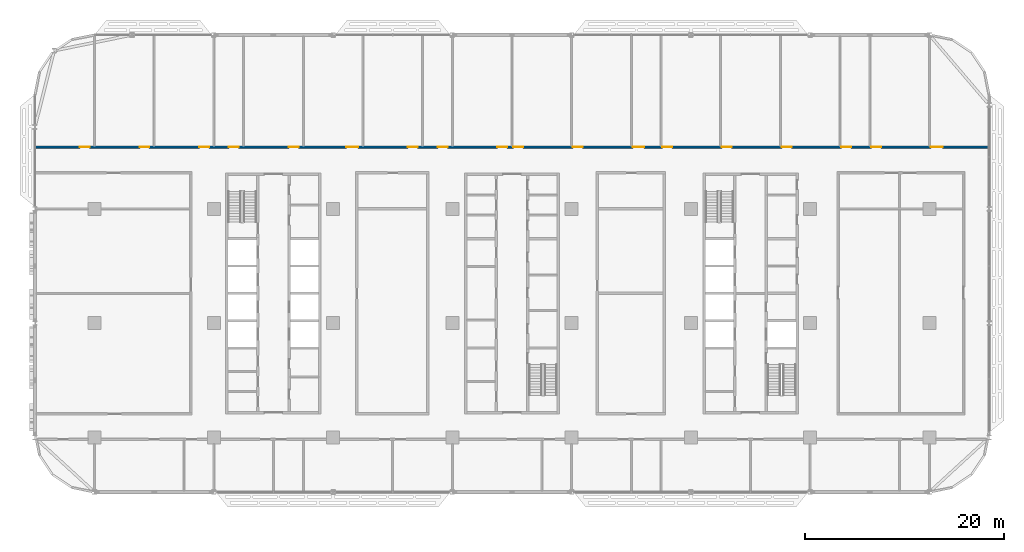
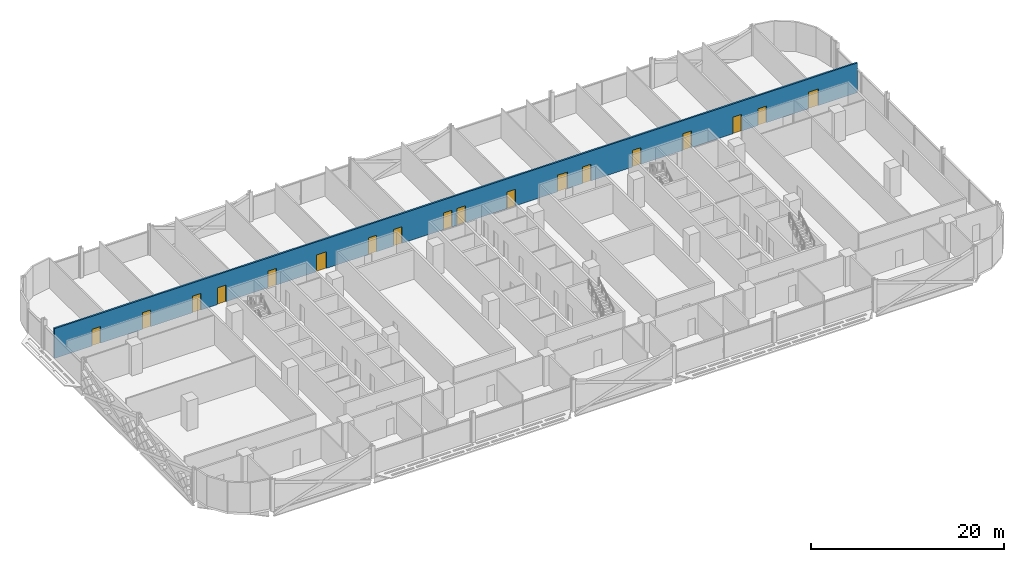
# One storey, part 16 of 29: 18 doors, 1 wall, 18 openings.
"""IFC4 building model written with IfcOpenShell, lengths in metres."""

from ifc_helpers import new_model, si_unit, direction, frame, frame_2d, origin, place, context, subcontext, project, spatial, rectangle, extrude, material, layer, layer_set, type_object, element, fill, save


model = new_model("IFC4")

# Units and contexts
model_context = context("Model", 3, precision=1e-05, world=origin(), true_north=direction((0.0, 1.0)))
body_context = subcontext(model_context, "Body", "Model", "MODEL_VIEW")
ifc_project = project(units=[si_unit("LENGTHUNIT", "METRE"), si_unit("AREAUNIT", "SQUARE_METRE"), si_unit("VOLUMEUNIT", "CUBIC_METRE"), si_unit("PLANEANGLEUNIT", "RADIAN"), si_unit("MASSUNIT", "GRAM", prefix="KILO")], contexts=[model_context])

# Site, building, storey
site_placement = place(None, origin())
site = spatial("IfcSite", under=ifc_project, at=site_placement, CompositionType="ELEMENT")
building_placement = place(site_placement, origin())
building = spatial("IfcBuilding", under=site, at=building_placement, Name="Mahtab Terrace Research Tower", CompositionType="ELEMENT")
storey_placement = place(building_placement, frame((0.0, 0.0, 142.5)))
storey = spatial("IfcBuildingStorey", under=building, at=storey_placement, Name="L33", CompositionType="ELEMENT", Elevation=142.5)

# Wall, openings, doors
ifc_material_1 = material(Name="Gypsum board corridor wall on steel studs", Category="steel")
ifc_layer = layer(ifc_material_1, 0.199951171875)
ifc_layer_set = layer_set([ifc_layer], Name="WALL CORRIDOR 200")
wall_type = type_object("IfcWallType", Name="WALL CORRIDOR 200", PredefinedType="PARTITIONING", material=ifc_layer_set)
wall_placement = place(storey_placement, frame((-47.97509765625, 17.699951171875, 0.0), z_axis=(0.0, 0.0, 1.0), x_axis=(1.0, 0.0, 0.0)))
wall = element("IfcWall", 1, at=wall_placement, inside=storey, type_object=wall_type, Name="L33-W026", PredefinedType="PARTITIONING", context=body_context, shape_type="SweptSolid", body=[
    extrude(rectangle(XDim=95.9501953125, YDim=0.199951171875, at=frame_2d((47.97509765625, 0.0))), origin(), (0.0, 0.0, 1.0), 3.760009765625),
])
opening_1_placement = place(wall_placement, frame((4.5, 0.0, 0.0)))
opening_1 = element("IfcOpeningElement", 2, at=opening_1_placement, cuts=wall, Name="Opening L33-129", PredefinedType="OPENING", context=body_context, shape_type="SweptSolid", body=[
    extrude(rectangle(XDim=1.0, YDim=2.10009765625, at=frame_2d((0.5, 1.050048828125))), frame((0.0, 0.10986328125, 0.0), z_axis=(0.0, -1.0, 0.0), x_axis=(1.0, 0.0, 0.0)), (0.0, 0.0, 1.0), 0.219970703125),
])
opening_2_placement = place(wall_placement, frame((10.5, 0.0, 0.0)))
opening_2 = element("IfcOpeningElement", 3, at=opening_2_placement, cuts=wall, Name="Opening L33-130", PredefinedType="OPENING", context=body_context, shape_type="SweptSolid", body=[
    extrude(rectangle(XDim=1.0, YDim=2.10009765625, at=frame_2d((0.5, 1.050048828125))), frame((0.0, 0.10986328125, 0.0), z_axis=(0.0, -1.0, 0.0), x_axis=(1.0, 0.0, 0.0)), (0.0, 0.0, 1.0), 0.219970703125),
])
opening_3_placement = place(wall_placement, frame((16.5, 0.0, 0.0)))
opening_3 = element("IfcOpeningElement", 4, at=opening_3_placement, cuts=wall, Name="Opening L33-131", PredefinedType="OPENING", context=body_context, shape_type="SweptSolid", body=[
    extrude(rectangle(XDim=1.0, YDim=2.10009765625, at=frame_2d((0.5, 1.050048828125))), frame((0.0, 0.10986328125, 0.0), z_axis=(0.0, -1.0, 0.0), x_axis=(1.0, 0.0, 0.0)), (0.0, 0.0, 1.0), 0.219970703125),
])
opening_4_placement = place(wall_placement, frame((19.5, 0.0, 0.0)))
opening_4 = element("IfcOpeningElement", 5, at=opening_4_placement, cuts=wall, Name="Opening L33-132", PredefinedType="OPENING", context=body_context, shape_type="SweptSolid", body=[
    extrude(rectangle(XDim=1.0, YDim=2.10009765625, at=frame_2d((0.5, 1.050048828125))), frame((0.0, 0.10986328125, 0.0), z_axis=(0.0, -1.0, 0.0), x_axis=(1.0, 0.0, 0.0)), (0.0, 0.0, 1.0), 0.219970703125),
])
opening_5_placement = place(wall_placement, frame((25.5, 0.0, 0.0)))
opening_5 = element("IfcOpeningElement", 6, at=opening_5_placement, cuts=wall, Name="Opening L33-133", PredefinedType="OPENING", context=body_context, shape_type="SweptSolid", body=[
    extrude(rectangle(XDim=1.0, YDim=2.10009765625, at=frame_2d((0.5, 1.050048828125))), frame((0.0, 0.10986328125, 0.0), z_axis=(0.0, -1.0, 0.0), x_axis=(1.0, 0.0, 0.0)), (0.0, 0.0, 1.0), 0.219970703125),
])
opening_6_placement = place(wall_placement, frame((31.300048828125, 0.0, 0.0)))
opening_6 = element("IfcOpeningElement", 7, at=opening_6_placement, cuts=wall, Name="Opening L33-134", PredefinedType="OPENING", context=body_context, shape_type="SweptSolid", body=[
    extrude(rectangle(XDim=1.199951171875, YDim=2.10009765625, at=frame_2d((0.60009765625, 1.050048828125))), frame((0.0, 0.10986328125, 0.0), z_axis=(0.0, -1.0, 0.0), x_axis=(1.0, 0.0, 0.0)), (0.0, 0.0, 1.0), 0.219970703125),
])
opening_7_placement = place(wall_placement, frame((37.5, 0.0, 0.0)))
opening_7 = element("IfcOpeningElement", 8, at=opening_7_placement, cuts=wall, Name="Opening L33-135", PredefinedType="OPENING", context=body_context, shape_type="SweptSolid", body=[
    extrude(rectangle(XDim=1.0, YDim=2.10009765625, at=frame_2d((0.5, 1.050048828125))), frame((0.0, 0.10986328125, 0.0), z_axis=(0.0, -1.0, 0.0), x_axis=(1.0, 0.0, 0.0)), (0.0, 0.0, 1.0), 0.219970703125),
])
opening_8_placement = place(wall_placement, frame((40.5, 0.0, 0.0)))
opening_8 = element("IfcOpeningElement", 9, at=opening_8_placement, cuts=wall, Name="Opening L33-136", PredefinedType="OPENING", context=body_context, shape_type="SweptSolid", body=[
    extrude(rectangle(XDim=1.0, YDim=2.10009765625, at=frame_2d((0.5, 1.050048828125))), frame((0.0, 0.10986328125, 0.0), z_axis=(0.0, -1.0, 0.0), x_axis=(1.0, 0.0, 0.0)), (0.0, 0.0, 1.0), 0.219970703125),
])
opening_9_placement = place(wall_placement, frame((46.5, 0.0, 0.0)))
opening_9 = element("IfcOpeningElement", 10, at=opening_9_placement, cuts=wall, Name="Opening L33-137", PredefinedType="OPENING", context=body_context, shape_type="SweptSolid", body=[
    extrude(rectangle(XDim=1.0, YDim=2.10009765625, at=frame_2d((0.5, 1.050048828125))), frame((0.0, 0.10986328125, 0.0), z_axis=(0.0, -1.0, 0.0), x_axis=(1.0, 0.0, 0.0)), (0.0, 0.0, 1.0), 0.219970703125),
])
opening_10_placement = place(wall_placement, frame((48.10009765625, 0.0, 0.0)))
opening_10 = element("IfcOpeningElement", 11, at=opening_10_placement, cuts=wall, Name="Opening L33-138", PredefinedType="OPENING", context=body_context, shape_type="SweptSolid", body=[
    extrude(rectangle(XDim=1.0, YDim=2.10009765625, at=frame_2d((0.5, 1.050048828125))), frame((0.0, 0.10986328125, 0.0), z_axis=(0.0, -1.0, 0.0), x_axis=(1.0, 0.0, 0.0)), (0.0, 0.0, 1.0), 0.219970703125),
])
opening_11_placement = place(wall_placement, frame((54.10009765625, 0.0, 0.0)))
opening_11 = element("IfcOpeningElement", 12, at=opening_11_placement, cuts=wall, Name="Opening L33-139", PredefinedType="OPENING", context=body_context, shape_type="SweptSolid", body=[
    extrude(rectangle(XDim=1.0, YDim=2.10009765625, at=frame_2d((0.5, 1.050048828125))), frame((0.0, 0.10986328125, 0.0), z_axis=(0.0, -1.0, 0.0), x_axis=(1.0, 0.0, 0.0)), (0.0, 0.0, 1.0), 0.219970703125),
])
opening_12_placement = place(wall_placement, frame((60.10009765625, 0.0, 0.0)))
opening_12 = element("IfcOpeningElement", 13, at=opening_12_placement, cuts=wall, Name="Opening L33-140", PredefinedType="OPENING", context=body_context, shape_type="SweptSolid", body=[
    extrude(rectangle(XDim=1.199951171875, YDim=2.10009765625, at=frame_2d((0.60009765625, 1.050048828125))), frame((0.0, 0.10986328125, 0.0), z_axis=(0.0, -1.0, 0.0), x_axis=(1.0, 0.0, 0.0)), (0.0, 0.0, 1.0), 0.219970703125),
])
opening_13_placement = place(wall_placement, frame((63.10009765625, 0.0, 0.0)))
opening_13 = element("IfcOpeningElement", 14, at=opening_13_placement, cuts=wall, Name="Opening L33-141", PredefinedType="OPENING", context=body_context, shape_type="SweptSolid", body=[
    extrude(rectangle(XDim=1.0, YDim=2.10009765625, at=frame_2d((0.5, 1.050048828125))), frame((0.0, 0.10986328125, 0.0), z_axis=(0.0, -1.0, 0.0), x_axis=(1.0, 0.0, 0.0)), (0.0, 0.0, 1.0), 0.219970703125),
])
opening_14_placement = place(wall_placement, frame((69.10009765625, 0.0, 0.0)))
opening_14 = element("IfcOpeningElement", 15, at=opening_14_placement, cuts=wall, Name="Opening L33-142", PredefinedType="OPENING", context=body_context, shape_type="SweptSolid", body=[
    extrude(rectangle(XDim=1.0, YDim=2.10009765625, at=frame_2d((0.5, 1.050048828125))), frame((0.0, 0.10986328125, 0.0), z_axis=(0.0, -1.0, 0.0), x_axis=(1.0, 0.0, 0.0)), (0.0, 0.0, 1.0), 0.219970703125),
])
opening_15_placement = place(wall_placement, frame((75.10009765625, 0.0, 0.0)))
opening_15 = element("IfcOpeningElement", 16, at=opening_15_placement, cuts=wall, Name="Opening L33-143", PredefinedType="OPENING", context=body_context, shape_type="SweptSolid", body=[
    extrude(rectangle(XDim=1.0, YDim=2.10009765625, at=frame_2d((0.5, 1.050048828125))), frame((0.0, 0.10986328125, 0.0), z_axis=(0.0, -1.0, 0.0), x_axis=(1.0, 0.0, 0.0)), (0.0, 0.0, 1.0), 0.219970703125),
])
opening_16_placement = place(wall_placement, frame((81.10009765625, 0.0, 0.0)))
opening_16 = element("IfcOpeningElement", 17, at=opening_16_placement, cuts=wall, Name="Opening L33-144", PredefinedType="OPENING", context=body_context, shape_type="SweptSolid", body=[
    extrude(rectangle(XDim=1.0, YDim=2.10009765625, at=frame_2d((0.5, 1.050048828125))), frame((0.0, 0.10986328125, 0.0), z_axis=(0.0, -1.0, 0.0), x_axis=(1.0, 0.0, 0.0)), (0.0, 0.0, 1.0), 0.219970703125),
])
opening_17_placement = place(wall_placement, frame((84.10009765625, 0.0, 0.0)))
opening_17 = element("IfcOpeningElement", 18, at=opening_17_placement, cuts=wall, Name="Opening L33-145", PredefinedType="OPENING", context=body_context, shape_type="SweptSolid", body=[
    extrude(rectangle(XDim=1.0, YDim=2.10009765625, at=frame_2d((0.5, 1.050048828125))), frame((0.0, 0.10986328125, 0.0), z_axis=(0.0, -1.0, 0.0), x_axis=(1.0, 0.0, 0.0)), (0.0, 0.0, 1.0), 0.219970703125),
])
opening_18_placement = place(wall_placement, frame((90.10009765625, 0.0, 0.0)))
opening_18 = element("IfcOpeningElement", 19, at=opening_18_placement, cuts=wall, Name="Opening L33-146", PredefinedType="OPENING", context=body_context, shape_type="SweptSolid", body=[
    extrude(rectangle(XDim=1.199951171875, YDim=2.10009765625, at=frame_2d((0.60009765625, 1.050048828125))), frame((0.0, 0.10986328125, 0.0), z_axis=(0.0, -1.0, 0.0), x_axis=(1.0, 0.0, 0.0)), (0.0, 0.0, 1.0), 0.219970703125),
])
ifc_material_2 = material(Name="Timber door leaf in steel frame", Category="steel")
door_type_1 = type_object("IfcDoorType", Name="DOOR 1000X2100 FD30S", OperationType="SINGLE_SWING_LEFT", PredefinedType="DOOR", material=ifc_material_2)
door_1_placement = place(opening_1_placement, origin())
door_1 = element("IfcDoor", 20, at=door_1_placement, inside=storey, type_object=door_type_1, Name="Door L33-129", OperationType="SINGLE_SWING_LEFT", OverallHeight=2.10009765625, OverallWidth=1.0, PredefinedType="DOOR", context=body_context, shape_type="SweptSolid", body=[
    extrude(rectangle(XDim=1.0, YDim=2.10009765625, at=frame_2d((0.5, 1.050048828125))), frame((0.0, 0.02490234375, 0.0), z_axis=(0.0, -1.0, 0.0), x_axis=(1.0, 0.0, 0.0)), (0.0, 0.0, 1.0), 0.050048828125),
])
fill(opening_1, door_1)
door_2_placement = place(opening_2_placement, origin())
door_2 = element("IfcDoor", 21, at=door_2_placement, inside=storey, type_object=door_type_1, Name="Door L33-130", OperationType="SINGLE_SWING_LEFT", OverallHeight=2.10009765625, OverallWidth=1.0, PredefinedType="DOOR", context=body_context, shape_type="SweptSolid", body=[
    extrude(rectangle(XDim=1.0, YDim=2.10009765625, at=frame_2d((0.5, 1.050048828125))), frame((0.0, 0.02490234375, 0.0), z_axis=(0.0, -1.0, 0.0), x_axis=(1.0, 0.0, 0.0)), (0.0, 0.0, 1.0), 0.050048828125),
])
fill(opening_2, door_2)
door_3_placement = place(opening_3_placement, origin())
door_3 = element("IfcDoor", 22, at=door_3_placement, inside=storey, type_object=door_type_1, Name="Door L33-131", OperationType="SINGLE_SWING_LEFT", OverallHeight=2.10009765625, OverallWidth=1.0, PredefinedType="DOOR", context=body_context, shape_type="SweptSolid", body=[
    extrude(rectangle(XDim=1.0, YDim=2.10009765625, at=frame_2d((0.5, 1.050048828125))), frame((0.0, 0.02490234375, 0.0), z_axis=(0.0, -1.0, 0.0), x_axis=(1.0, 0.0, 0.0)), (0.0, 0.0, 1.0), 0.050048828125),
])
fill(opening_3, door_3)
door_4_placement = place(opening_4_placement, origin())
door_4 = element("IfcDoor", 23, at=door_4_placement, inside=storey, type_object=door_type_1, Name="Door L33-132", OperationType="SINGLE_SWING_LEFT", OverallHeight=2.10009765625, OverallWidth=1.0, PredefinedType="DOOR", context=body_context, shape_type="SweptSolid", body=[
    extrude(rectangle(XDim=1.0, YDim=2.10009765625, at=frame_2d((0.5, 1.050048828125))), frame((0.0, 0.02490234375, 0.0), z_axis=(0.0, -1.0, 0.0), x_axis=(1.0, 0.0, 0.0)), (0.0, 0.0, 1.0), 0.050048828125),
])
fill(opening_4, door_4)
door_5_placement = place(opening_5_placement, origin())
door_5 = element("IfcDoor", 24, at=door_5_placement, inside=storey, type_object=door_type_1, Name="Door L33-133", OperationType="SINGLE_SWING_LEFT", OverallHeight=2.10009765625, OverallWidth=1.0, PredefinedType="DOOR", context=body_context, shape_type="SweptSolid", body=[
    extrude(rectangle(XDim=1.0, YDim=2.10009765625, at=frame_2d((0.5, 1.050048828125))), frame((0.0, 0.02490234375, 0.0), z_axis=(0.0, -1.0, 0.0), x_axis=(1.0, 0.0, 0.0)), (0.0, 0.0, 1.0), 0.050048828125),
])
fill(opening_5, door_5)
door_6_placement = place(opening_7_placement, origin())
door_6 = element("IfcDoor", 25, at=door_6_placement, inside=storey, type_object=door_type_1, Name="Door L33-135", OperationType="SINGLE_SWING_LEFT", OverallHeight=2.10009765625, OverallWidth=1.0, PredefinedType="DOOR", context=body_context, shape_type="SweptSolid", body=[
    extrude(rectangle(XDim=1.0, YDim=2.10009765625, at=frame_2d((0.5, 1.050048828125))), frame((0.0, 0.02490234375, 0.0), z_axis=(0.0, -1.0, 0.0), x_axis=(1.0, 0.0, 0.0)), (0.0, 0.0, 1.0), 0.050048828125),
])
fill(opening_7, door_6)
door_7_placement = place(opening_8_placement, origin())
door_7 = element("IfcDoor", 26, at=door_7_placement, inside=storey, type_object=door_type_1, Name="Door L33-136", OperationType="SINGLE_SWING_LEFT", OverallHeight=2.10009765625, OverallWidth=1.0, PredefinedType="DOOR", context=body_context, shape_type="SweptSolid", body=[
    extrude(rectangle(XDim=1.0, YDim=2.10009765625, at=frame_2d((0.5, 1.050048828125))), frame((0.0, 0.02490234375, 0.0), z_axis=(0.0, -1.0, 0.0), x_axis=(1.0, 0.0, 0.0)), (0.0, 0.0, 1.0), 0.050048828125),
])
fill(opening_8, door_7)
door_8_placement = place(opening_9_placement, origin())
door_8 = element("IfcDoor", 27, at=door_8_placement, inside=storey, type_object=door_type_1, Name="Door L33-137", OperationType="SINGLE_SWING_LEFT", OverallHeight=2.10009765625, OverallWidth=1.0, PredefinedType="DOOR", context=body_context, shape_type="SweptSolid", body=[
    extrude(rectangle(XDim=1.0, YDim=2.10009765625, at=frame_2d((0.5, 1.050048828125))), frame((0.0, 0.02490234375, 0.0), z_axis=(0.0, -1.0, 0.0), x_axis=(1.0, 0.0, 0.0)), (0.0, 0.0, 1.0), 0.050048828125),
])
fill(opening_9, door_8)
door_9_placement = place(opening_10_placement, origin())
door_9 = element("IfcDoor", 28, at=door_9_placement, inside=storey, type_object=door_type_1, Name="Door L33-138", OperationType="SINGLE_SWING_RIGHT", OverallHeight=2.10009765625, OverallWidth=1.0, PredefinedType="DOOR", context=body_context, shape_type="SweptSolid", body=[
    extrude(rectangle(XDim=1.0, YDim=2.10009765625, at=frame_2d((0.5, 1.050048828125))), frame((0.0, 0.02490234375, 0.0), z_axis=(0.0, -1.0, 0.0), x_axis=(1.0, 0.0, 0.0)), (0.0, 0.0, 1.0), 0.050048828125),
])
fill(opening_10, door_9)
door_10_placement = place(opening_11_placement, origin())
door_10 = element("IfcDoor", 29, at=door_10_placement, inside=storey, type_object=door_type_1, Name="Door L33-139", OperationType="SINGLE_SWING_RIGHT", OverallHeight=2.10009765625, OverallWidth=1.0, PredefinedType="DOOR", context=body_context, shape_type="SweptSolid", body=[
    extrude(rectangle(XDim=1.0, YDim=2.10009765625, at=frame_2d((0.5, 1.050048828125))), frame((0.0, 0.02490234375, 0.0), z_axis=(0.0, -1.0, 0.0), x_axis=(1.0, 0.0, 0.0)), (0.0, 0.0, 1.0), 0.050048828125),
])
fill(opening_11, door_10)
door_11_placement = place(opening_13_placement, origin())
door_11 = element("IfcDoor", 30, at=door_11_placement, inside=storey, type_object=door_type_1, Name="Door L33-141", OperationType="SINGLE_SWING_RIGHT", OverallHeight=2.10009765625, OverallWidth=1.0, PredefinedType="DOOR", context=body_context, shape_type="SweptSolid", body=[
    extrude(rectangle(XDim=1.0, YDim=2.10009765625, at=frame_2d((0.5, 1.050048828125))), frame((0.0, 0.02490234375, 0.0), z_axis=(0.0, -1.0, 0.0), x_axis=(1.0, 0.0, 0.0)), (0.0, 0.0, 1.0), 0.050048828125),
])
fill(opening_13, door_11)
door_12_placement = place(opening_14_placement, origin())
door_12 = element("IfcDoor", 31, at=door_12_placement, inside=storey, type_object=door_type_1, Name="Door L33-142", OperationType="SINGLE_SWING_RIGHT", OverallHeight=2.10009765625, OverallWidth=1.0, PredefinedType="DOOR", context=body_context, shape_type="SweptSolid", body=[
    extrude(rectangle(XDim=1.0, YDim=2.10009765625, at=frame_2d((0.5, 1.050048828125))), frame((0.0, 0.02490234375, 0.0), z_axis=(0.0, -1.0, 0.0), x_axis=(1.0, 0.0, 0.0)), (0.0, 0.0, 1.0), 0.050048828125),
])
fill(opening_14, door_12)
door_13_placement = place(opening_15_placement, origin())
door_13 = element("IfcDoor", 32, at=door_13_placement, inside=storey, type_object=door_type_1, Name="Door L33-143", OperationType="SINGLE_SWING_RIGHT", OverallHeight=2.10009765625, OverallWidth=1.0, PredefinedType="DOOR", context=body_context, shape_type="SweptSolid", body=[
    extrude(rectangle(XDim=1.0, YDim=2.10009765625, at=frame_2d((0.5, 1.050048828125))), frame((0.0, 0.02490234375, 0.0), z_axis=(0.0, -1.0, 0.0), x_axis=(1.0, 0.0, 0.0)), (0.0, 0.0, 1.0), 0.050048828125),
])
fill(opening_15, door_13)
door_14_placement = place(opening_16_placement, origin())
door_14 = element("IfcDoor", 33, at=door_14_placement, inside=storey, type_object=door_type_1, Name="Door L33-144", OperationType="SINGLE_SWING_RIGHT", OverallHeight=2.10009765625, OverallWidth=1.0, PredefinedType="DOOR", context=body_context, shape_type="SweptSolid", body=[
    extrude(rectangle(XDim=1.0, YDim=2.10009765625, at=frame_2d((0.5, 1.050048828125))), frame((0.0, 0.02490234375, 0.0), z_axis=(0.0, -1.0, 0.0), x_axis=(1.0, 0.0, 0.0)), (0.0, 0.0, 1.0), 0.050048828125),
])
fill(opening_16, door_14)
door_15_placement = place(opening_17_placement, origin())
door_15 = element("IfcDoor", 34, at=door_15_placement, inside=storey, type_object=door_type_1, Name="Door L33-145", OperationType="SINGLE_SWING_RIGHT", OverallHeight=2.10009765625, OverallWidth=1.0, PredefinedType="DOOR", context=body_context, shape_type="SweptSolid", body=[
    extrude(rectangle(XDim=1.0, YDim=2.10009765625, at=frame_2d((0.5, 1.050048828125))), frame((0.0, 0.02490234375, 0.0), z_axis=(0.0, -1.0, 0.0), x_axis=(1.0, 0.0, 0.0)), (0.0, 0.0, 1.0), 0.050048828125),
])
fill(opening_17, door_15)
door_type_2 = type_object("IfcDoorType", Name="DOOR 1200X2100 FD30S", OperationType="SINGLE_SWING_LEFT", PredefinedType="DOOR", material=ifc_material_2)
door_16_placement = place(opening_6_placement, origin())
door_16 = element("IfcDoor", 35, at=door_16_placement, inside=storey, type_object=door_type_2, Name="Door L33-134", OperationType="SINGLE_SWING_LEFT", OverallHeight=2.10009765625, OverallWidth=1.199951171875, PredefinedType="DOOR", context=body_context, shape_type="SweptSolid", body=[
    extrude(rectangle(XDim=1.199951171875, YDim=2.10009765625, at=frame_2d((0.60009765625, 1.050048828125))), frame((0.0, 0.02490234375, 0.0), z_axis=(0.0, -1.0, 0.0), x_axis=(1.0, 0.0, 0.0)), (0.0, 0.0, 1.0), 0.050048828125),
])
fill(opening_6, door_16)
door_17_placement = place(opening_12_placement, origin())
door_17 = element("IfcDoor", 36, at=door_17_placement, inside=storey, type_object=door_type_2, Name="Door L33-140", OperationType="SINGLE_SWING_RIGHT", OverallHeight=2.10009765625, OverallWidth=1.199951171875, PredefinedType="DOOR", context=body_context, shape_type="SweptSolid", body=[
    extrude(rectangle(XDim=1.199951171875, YDim=2.10009765625, at=frame_2d((0.60009765625, 1.050048828125))), frame((0.0, 0.02490234375, 0.0), z_axis=(0.0, -1.0, 0.0), x_axis=(1.0, 0.0, 0.0)), (0.0, 0.0, 1.0), 0.050048828125),
])
fill(opening_12, door_17)
door_18_placement = place(opening_18_placement, origin())
door_18 = element("IfcDoor", 37, at=door_18_placement, inside=storey, type_object=door_type_2, Name="Door L33-146", OperationType="SINGLE_SWING_RIGHT", OverallHeight=2.10009765625, OverallWidth=1.199951171875, PredefinedType="DOOR", context=body_context, shape_type="SweptSolid", body=[
    extrude(rectangle(XDim=1.199951171875, YDim=2.10009765625, at=frame_2d((0.60009765625, 1.050048828125))), frame((0.0, 0.02490234375, 0.0), z_axis=(0.0, -1.0, 0.0), x_axis=(1.0, 0.0, 0.0)), (0.0, 0.0, 1.0), 0.050048828125),
])
fill(opening_18, door_18)

save(model, "model.ifc")
